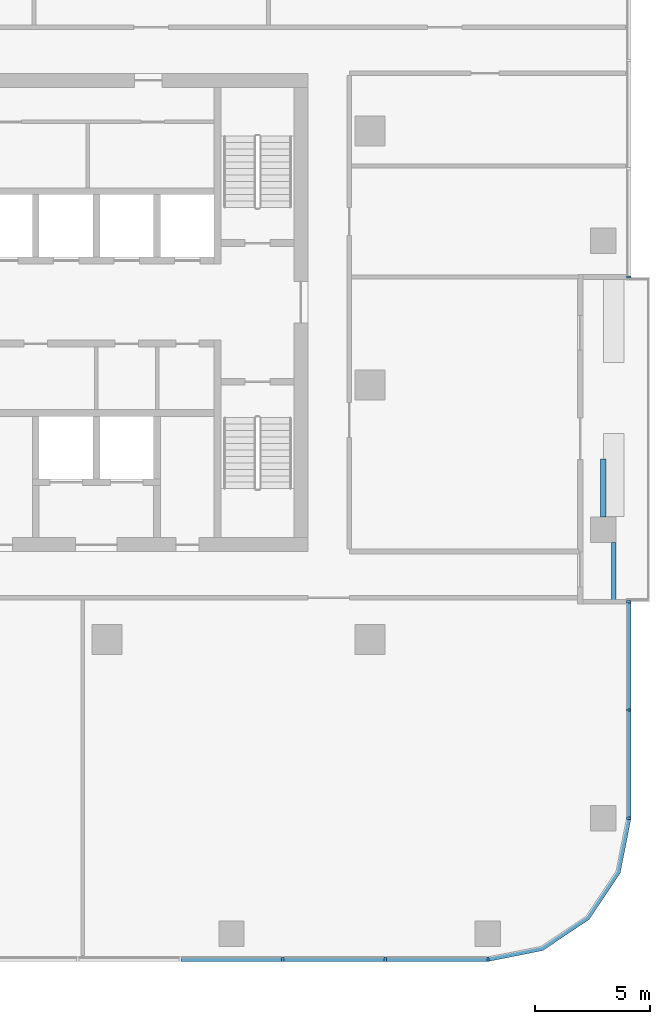
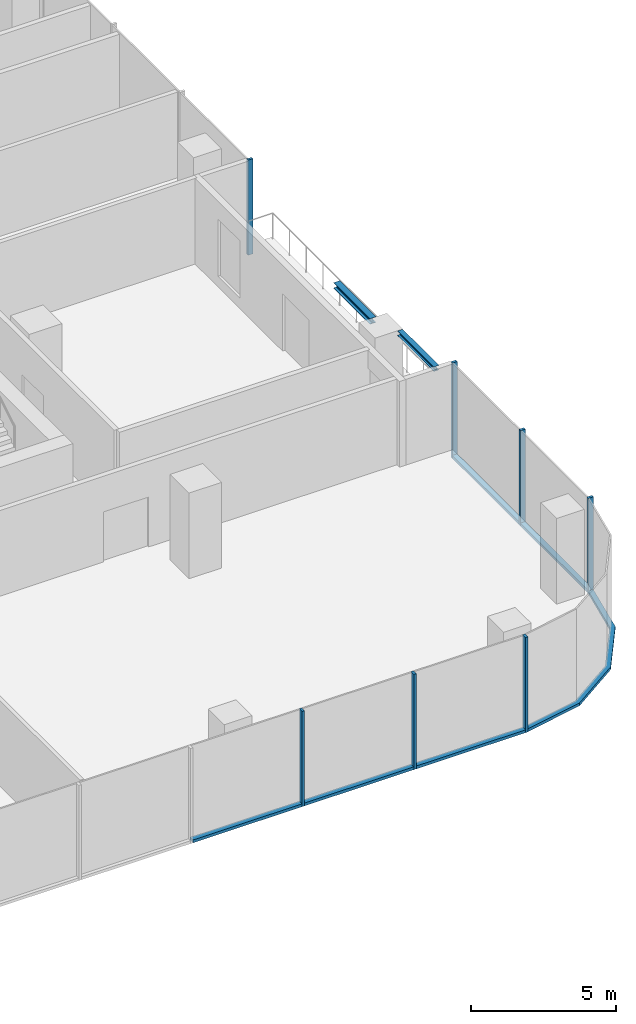
# One storey, part 3 of 14: 13 members, 2 beams, 4 elements without a shape of their own.
"""IFC4 building model written with IfcOpenShell, lengths in metres."""

from ifc_helpers import new_model, si_unit, direction, frame, origin, origin_2d, place, context, subcontext, project, spatial, polyline, rectangle, i_section, outline, extrude, material, material_profile, profile_set, type_object, element, aggregate, save


model = new_model("IFC4")

# Units and contexts
model_context = context("Model", 3, precision=1e-05, world=origin(), true_north=direction((0.0, 1.0)))
body_context = subcontext(model_context, "Body", "Model", "MODEL_VIEW")
ifc_project = project(units=[si_unit("LENGTHUNIT", "METRE"), si_unit("AREAUNIT", "SQUARE_METRE"), si_unit("VOLUMEUNIT", "CUBIC_METRE"), si_unit("PLANEANGLEUNIT", "RADIAN"), si_unit("MASSUNIT", "GRAM", prefix="KILO")], contexts=[model_context])

# Site, building, storey
site_placement = place(None, origin())
site = spatial("IfcSite", under=ifc_project, at=site_placement, CompositionType="ELEMENT")
building_placement = place(site_placement, origin())
building = spatial("IfcBuilding", under=site, at=building_placement, Name="Mopane Tessera Tower", CompositionType="ELEMENT")
storey_placement = place(building_placement, frame((0.0, 0.0, 215.0)))
storey = spatial("IfcBuildingStorey", under=building, at=storey_placement, Name="L45", CompositionType="ELEMENT", Elevation=215.0)

# Curtain wall, members
ifc_material_1 = material(Name="Aluminium frame", Category="aluminium")
curtain_wall_type = type_object("IfcCurtainWallType", Name="Unitised curtain wall", PredefinedType="NOTDEFINED", material=ifc_material_1)
curtain_wall_1_placement = place(storey_placement, origin())
curtain_wall_1 = element("IfcCurtainWall", 1, at=curtain_wall_1_placement, inside=storey, type_object=curtain_wall_type, Name="e:cw:L45:S:4", PredefinedType="NOTDEFINED")
ifc_material_2 = material(Name="Aluminium frame", Category="aluminium")
ifc_material_profile_1 = material_profile(ifc_material_2, rectangle(XDim=0.10009765625, YDim=0.199951171875, at=origin_2d()))
ifc_profile_set_1 = profile_set([ifc_material_profile_1], Name="Aluminium frame")
member_type_1 = type_object("IfcMemberType", Name="Aluminium mullion 100 x 200", PredefinedType="MULLION", material=ifc_profile_set_1)
member_1_placement = place(storey_placement, frame((13.320068359375, -24.85009765625, -0.39990234375), z_axis=(0.0, 0.0, 1.0), x_axis=(1.0, 0.0, 0.0)))
member_1 = element("IfcMember", 2, at=member_1_placement, type_object=member_type_1, Name="e:cw:L45:S:4:mu8", PredefinedType="MULLION", context=body_context, shape_type="SweptSolid", body=[
    extrude(rectangle(XDim=0.10009765625, YDim=0.199951171875, at=origin_2d()), origin(), (0.0, 0.0, 1.0), 4.0),
])
member_2_placement = place(storey_placement, frame((17.760009765625, -24.85009765625, -0.39990234375), z_axis=(0.0, 0.0, 1.0), x_axis=(1.0, 0.0, 0.0)))
member_2 = element("IfcMember", 3, at=member_2_placement, type_object=member_type_1, Name="e:cw:L45:S:4:mu9", PredefinedType="MULLION", context=body_context, shape_type="SweptSolid", body=[
    extrude(rectangle(XDim=0.10009765625, YDim=0.199951171875, at=origin_2d()), origin(), (0.0, 0.0, 1.0), 4.0),
])
member_3_placement = place(storey_placement, frame((22.199951171875, -24.85009765625, -0.39990234375), z_axis=(0.0, 0.0, 1.0), x_axis=(1.0, 0.0, 0.0)))
member_3 = element("IfcMember", 4, at=member_3_placement, type_object=member_type_1, Name="e:cw:L45:S:4:mu10", PredefinedType="MULLION", context=body_context, shape_type="SweptSolid", body=[
    extrude(rectangle(XDim=0.10009765625, YDim=0.199951171875, at=origin_2d()), origin(), (0.0, 0.0, 1.0), 4.0),
])

curtain_wall_2_placement = place(storey_placement, origin())
curtain_wall_2 = element("IfcCurtainWall", 5, at=curtain_wall_2_placement, inside=storey, type_object=curtain_wall_type, Name="e:cw:L45:E:0", PredefinedType="NOTDEFINED")
member_4_placement = place(storey_placement, frame((28.300048828125, -18.75, -0.39990234375), z_axis=(0.0, 0.0, 1.0), x_axis=(0.0, 1.0, 0.0)))
member_4 = element("IfcMember", 6, at=member_4_placement, type_object=member_type_1, Name="e:cw:L45:E:0:mu0", PredefinedType="MULLION", context=body_context, shape_type="SweptSolid", body=[
    extrude(rectangle(XDim=0.10009765625, YDim=0.199951171875, at=origin_2d()), origin(), (0.0, 0.0, 1.0), 4.0),
])
member_5_placement = place(storey_placement, frame((28.300048828125, -14.0625, -0.39990234375), z_axis=(0.0, 0.0, 1.0), x_axis=(0.0, 1.0, 0.0)))
member_5 = element("IfcMember", 7, at=member_5_placement, type_object=member_type_1, Name="e:cw:L45:E:0:mu1", PredefinedType="MULLION", context=body_context, shape_type="SweptSolid", body=[
    extrude(rectangle(XDim=0.10009765625, YDim=0.199951171875, at=origin_2d()), origin(), (0.0, 0.0, 1.0), 4.0),
])
member_6_placement = place(storey_placement, frame((28.300048828125, -9.375, -0.39990234375), z_axis=(0.0, 0.0, 1.0), x_axis=(0.0, 1.0, 0.0)))
member_6 = element("IfcMember", 8, at=member_6_placement, type_object=member_type_1, Name="e:cw:L45:E:0:mu2", PredefinedType="MULLION", context=body_context, shape_type="SweptSolid", body=[
    extrude(rectangle(XDim=0.10009765625, YDim=0.199951171875, at=origin_2d()), origin(), (0.0, 0.0, 1.0), 4.0),
])

# Curtain wall, member
curtain_wall_3_placement = place(storey_placement, origin())
curtain_wall_3 = element("IfcCurtainWall", 9, at=curtain_wall_3_placement, inside=storey, type_object=curtain_wall_type, Name="e:cw:L45:E:5", PredefinedType="NOTDEFINED")
member_7_placement = place(storey_placement, frame((28.300048828125, 4.6875, -0.39990234375), z_axis=(0.0, 0.0, 1.0), x_axis=(0.0, 1.0, 0.0)))
member_7 = element("IfcMember", 10, at=member_7_placement, type_object=member_type_1, Name="e:cw:L45:E:5:mu5", PredefinedType="MULLION", context=body_context, shape_type="SweptSolid", body=[
    extrude(rectangle(XDim=0.10009765625, YDim=0.199951171875, at=origin_2d()), origin(), (0.0, 0.0, 1.0), 4.0),
])
aggregate(curtain_wall_3, [member_7])

# Member
ifc_material_3 = material(Name="Aluminium frame", Category="aluminium")
ifc_material_profile_2 = material_profile(ifc_material_3, rectangle(XDim=0.199951171875, YDim=0.1201171875, at=origin_2d()))
ifc_profile_set_2 = profile_set([ifc_material_profile_2], Name="Aluminium frame")
member_type_2 = type_object("IfcMemberType", Name="Aluminium transom 200 x 120", PredefinedType="USERDEFINED", material=ifc_profile_set_2)
member_8_placement = place(storey_placement, frame((8.929931640625, -24.85009765625, -0.340087890625), z_axis=(1.0, 0.0, 0.0), x_axis=(0.0, 1.0, 0.0)))
member_8 = element("IfcMember", 11, at=member_8_placement, type_object=member_type_2, Name="e:cw:L45:S:4:tr7", ObjectType="TRANSOM", PredefinedType="USERDEFINED", context=body_context, shape_type="SweptSolid", body=[
    extrude(rectangle(XDim=0.199951171875, YDim=0.1201171875, at=origin_2d()), origin(), (0.0, 0.0, 1.0), 4.340087890625),
])

member_9_placement = place(storey_placement, frame((13.3701171875, -24.85009765625, -0.340087890625), z_axis=(1.0, 0.0, 0.0), x_axis=(0.0, 1.0, 0.0)))
member_9 = element("IfcMember", 12, at=member_9_placement, type_object=member_type_2, Name="e:cw:L45:S:4:tr8", ObjectType="TRANSOM", PredefinedType="USERDEFINED", context=body_context, shape_type="SweptSolid", body=[
    extrude(rectangle(XDim=0.199951171875, YDim=0.1201171875, at=origin_2d()), origin(), (0.0, 0.0, 1.0), 4.33984375),
])

member_10_placement = place(storey_placement, frame((17.81005859375, -24.85009765625, -0.340087890625), z_axis=(1.0, 0.0, 0.0), x_axis=(0.0, 1.0, 0.0)))
member_10 = element("IfcMember", 13, at=member_10_placement, type_object=member_type_2, Name="e:cw:L45:S:4:tr9", ObjectType="TRANSOM", PredefinedType="USERDEFINED", context=body_context, shape_type="SweptSolid", body=[
    extrude(rectangle(XDim=0.199951171875, YDim=0.1201171875, at=origin_2d()), origin(), (0.0, 0.0, 1.0), 4.33984375),
])

aggregate(curtain_wall_1, [member_1, member_2, member_3, member_8, member_9, member_10])

# Curtain wall, member
curtain_wall_4_placement = place(storey_placement, origin())
curtain_wall_4 = element("IfcCurtainWall", 14, at=curtain_wall_4_placement, inside=storey, type_object=curtain_wall_type, Name="e:cw:L45:CS", PredefinedType="NOTDEFINED")
member_11_placement = place(storey_placement, frame((0.0, 0.0, -0.39990234375)))
member_11 = element("IfcMember", 15, at=member_11_placement, type_object=member_type_2, Name="e:cw:L45:CS:tr", ObjectType="TRANSOM", PredefinedType="USERDEFINED", context=body_context, shape_type="SweptSolid", body=[
    extrude(outline(polyline([(22.199951171875, -24.75), (24.49609375, -24.293212890625), (26.442626953125, -22.99267578125), (27.7431640625, -21.046142578125), (28.199951171875, -18.75), (28.39990234375, -18.75), (27.927978515625, -21.12255859375), (26.583984375, -23.134033203125), (24.57275390625, -24.47802734375), (22.199951171875, -24.949951171875), (22.199951171875, -24.75)])), origin(), (0.0, 0.0, 1.0), 0.119873046875),
])
aggregate(curtain_wall_4, [member_11])

# Member
member_12_placement = place(storey_placement, frame((28.300048828125, -18.699951171875, -0.340087890625), z_axis=(0.0, 1.0, 0.0), x_axis=(-1.0, 0.0, 0.0)))
member_12 = element("IfcMember", 16, at=member_12_placement, type_object=member_type_2, Name="e:cw:L45:E:0:tr0", ObjectType="TRANSOM", PredefinedType="USERDEFINED", context=body_context, shape_type="SweptSolid", body=[
    extrude(rectangle(XDim=0.199951171875, YDim=0.1201171875, at=origin_2d()), origin(), (0.0, 0.0, 1.0), 4.58740234375),
])

member_13_placement = place(storey_placement, frame((28.300048828125, -14.012451171875, -0.340087890625), z_axis=(0.0, 1.0, 0.0), x_axis=(-1.0, 0.0, 0.0)))
member_13 = element("IfcMember", 17, at=member_13_placement, type_object=member_type_2, Name="e:cw:L45:E:0:tr1", ObjectType="TRANSOM", PredefinedType="USERDEFINED", context=body_context, shape_type="SweptSolid", body=[
    extrude(rectangle(XDim=0.199951171875, YDim=0.1201171875, at=origin_2d()), origin(), (0.0, 0.0, 1.0), 4.58740234375),
])

aggregate(curtain_wall_2, [member_4, member_5, member_6, member_12, member_13])

# Beams
ifc_material_4 = material(Name="Structural steel S460", Category="steel")
ifc_material_profile_3 = material_profile(ifc_material_4, i_section(OverallWidth=0.239990234375, OverallDepth=0.239990234375, WebThickness=0.010009765625, FlangeThickness=0.01708984375, FilletRadius=0.02099609375, at=origin_2d()))
ifc_profile_set_3 = profile_set([ifc_material_profile_3], Name="Structural steel S460")
beam_type_1 = type_object("IfcBeamType", Name="Terrace spandrel beam HE 240 B", PredefinedType="SPANDREL", material=ifc_profile_set_3)
beam_1_placement = place(storey_placement, frame((27.199951171875, -5.697021484375, 3.47998046875), z_axis=(0.0, 1.0, 0.0), x_axis=(-1.0, 0.0, 0.0)))
element("IfcBeam", 18, at=beam_1_placement, inside=storey, type_object=beam_type_1, Name="Terrace spandrel beam N2 L46", PredefinedType="SPANDREL", context=body_context, shape_type="SweptSolid", body=[
    extrude(i_section(OverallWidth=0.239990234375, OverallDepth=0.239990234375, WebThickness=0.010009765625, FlangeThickness=0.01708984375, FilletRadius=0.02099609375, at=origin_2d()), origin(), (0.0, 0.0, 1.0), 2.5),
])
ifc_material_5 = material(Name="Structural steel S460", Category="steel")
ifc_material_profile_4 = material_profile(ifc_material_5, i_section(OverallWidth=0.199951171875, OverallDepth=0.199951171875, WebThickness=0.009033203125, FlangeThickness=0.014892578125, FilletRadius=0.01806640625, at=origin_2d()))
ifc_profile_set_4 = profile_set([ifc_material_profile_4], Name="Structural steel S460")
beam_type_2 = type_object("IfcBeamType", Name="Terrace trimmer beam HE 200 B", PredefinedType="BEAM", material=ifc_profile_set_4)
beam_2_placement = place(storey_placement, frame((27.639892578125, -6.802978515625, 3.5), z_axis=(0.0, -1.0, 0.0), x_axis=(1.0, 0.0, 0.0)))
element("IfcBeam", 19, at=beam_2_placement, inside=storey, type_object=beam_type_2, Name="Terrace trimmer beam N2 L46", PredefinedType="BEAM", context=body_context, shape_type="SweptSolid", body=[
    extrude(i_section(OverallWidth=0.199951171875, OverallDepth=0.199951171875, WebThickness=0.009033203125, FlangeThickness=0.014892578125, FilletRadius=0.01806640625, at=origin_2d()), origin(), (0.0, 0.0, 1.0), 2.5),
])

save(model, "model.ifc")
